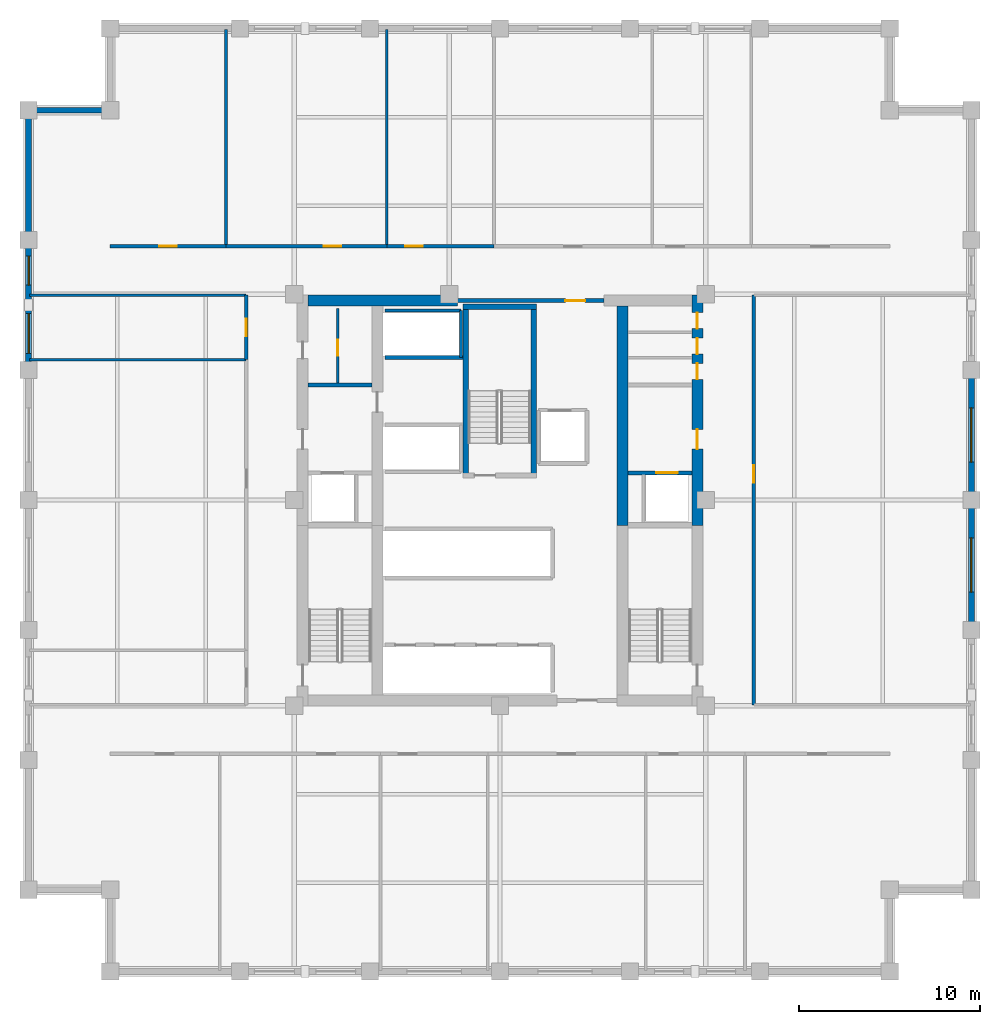
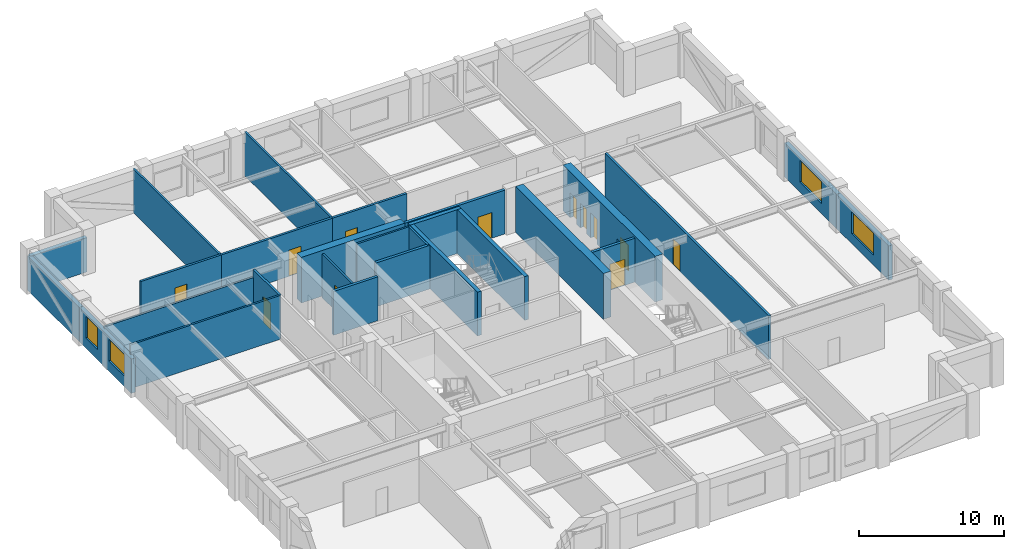
# One storey, part 4 of 6: 27 walls, 12 doors, 4 windows, 16 openings.
"""IFC4 building model written with IfcOpenShell, lengths in metres."""

from ifc_helpers import new_model, si_unit, direction, frame, frame_2d, origin, place, context, subcontext, project, spatial, rectangle, extrude, material, layer, layer_set, type_object, element, fill, save


model = new_model("IFC4")

# Units and contexts
model_context = context("Model", 3, precision=1e-05, world=origin(), true_north=direction((0.0, 1.0)))
body_context = subcontext(model_context, "Body", "Model", "MODEL_VIEW")
ifc_project = project(units=[si_unit("LENGTHUNIT", "METRE"), si_unit("AREAUNIT", "SQUARE_METRE"), si_unit("VOLUMEUNIT", "CUBIC_METRE"), si_unit("PLANEANGLEUNIT", "RADIAN"), si_unit("MASSUNIT", "GRAM", prefix="KILO")], contexts=[model_context])

# Site, building, storey
site_placement = place(None, origin())
site = spatial("IfcSite", under=ifc_project, at=site_placement, CompositionType="ELEMENT")
building_placement = place(site_placement, origin())
building = spatial("IfcBuilding", under=site, at=building_placement, Name="Nhamokura Convention Tower", CompositionType="ELEMENT")
storey_placement = place(building_placement, frame((0.0, 0.0, 129.85009765625)))
storey = spatial("IfcBuildingStorey", under=building, at=storey_placement, Name="L31", CompositionType="ELEMENT", Elevation=129.85009765625)

# Wall, opening, door
ifc_material_1 = material(Name="Moisture-resistant tile-backer partition", Category="masonry")
ifc_layer_1 = layer(ifc_material_1, 0.139892578125)
ifc_layer_set_1 = layer_set([ifc_layer_1], Name="BathroomWetWall_140")
wall_type_1 = type_object("IfcWallType", Name="BathroomWetWall_140", PredefinedType="STANDARD", material=ifc_layer_set_1)
wall_1_placement = place(storey_placement, frame((23.050048828125, 38.449951171875, 0.0), z_axis=(0.0, 0.0, 1.0), x_axis=(0.0, 1.0, 0.0)))
wall_1 = element("IfcWall", 1, at=wall_1_placement, inside=storey, type_object=wall_type_1, Name="L31 Wall INT-L31-CWNWV", PredefinedType="STANDARD", context=body_context, shape_type="SweptSolid", body=[
    extrude(rectangle(XDim=4.10009765625, YDim=0.139892578125, at=frame_2d((2.050048828125, 0.0))), origin(), (0.0, 0.0, 1.0), 3.684814453125),
])
opening_1_placement = place(wall_1_placement, frame((1.5, 0.0, 0.0)))
opening_1 = element("IfcOpeningElement", 2, at=opening_1_placement, cuts=wall_1, Name="Opening D-11", PredefinedType="OPENING", context=body_context, shape_type="SweptSolid", body=[
    extrude(rectangle(XDim=0.8798828125, YDim=2.10009765625, at=frame_2d((0.43994140625, 1.050048828125))), frame((0.0, 0.079833984375, 0.0), z_axis=(0.0, -1.0, 0.0), x_axis=(1.0, 0.0, 0.0)), (0.0, 0.0, 1.0), 0.159912109375),
])
ifc_material_2 = material(Name="Solid oak hardwood", Category="wood")
door_type_1 = type_object("IfcDoorType", Name="BathroomDoor_880", OperationType="NOTDEFINED", PredefinedType="DOOR", material=ifc_material_2)
door_1_placement = place(opening_1_placement, origin())
door_1 = element("IfcDoor", 3, at=door_1_placement, inside=storey, type_object=door_type_1, Name="L31 Inner Store Door", OperationType="SINGLE_SWING_LEFT", OverallHeight=2.10009765625, OverallWidth=0.8798828125, PredefinedType="DOOR", context=body_context, shape_type="SweptSolid", body=[
    extrude(rectangle(XDim=0.8798828125, YDim=2.10009765625, at=frame_2d((0.43994140625, 1.050048828125))), frame((0.0, 0.02490234375, 0.0), z_axis=(0.0, -1.0, 0.0), x_axis=(1.0, 0.0, 0.0)), (0.0, 0.0, 1.0), 0.050048828125),
])
fill(opening_1, door_1)

# Wall, openings, windows
ifc_material_3 = material(Name="Bronze-pigmented precast concrete C45/55", Category="concrete")
ifc_layer_2 = layer(ifc_material_3, 0.320068359375)
ifc_layer_set_2 = layer_set([ifc_layer_2], Name="BronzePrecastSpandrel_320")
wall_type_2 = type_object("IfcWallType", Name="BronzePrecastSpandrel_320", PredefinedType="USERDEFINED", material=ifc_layer_set_2)
wall_2_placement = place(storey_placement, frame((6.0, 39.166748046875, 0.0), z_axis=(0.0, 0.0, 1.0), x_axis=(0.0, 1.0, 0.0)))
wall_2 = element("IfcWall", 4, at=wall_2_placement, inside=storey, type_object=wall_type_2, Name="L31 Masonry-Frame Wall WEST 4", ObjectType="SPANDREL_WALL", PredefinedType="USERDEFINED", context=body_context, shape_type="SweptSolid", body=[
    extrude(rectangle(XDim=7.16650390625, YDim=0.320068359375, at=frame_2d((3.583251953125, 0.0))), origin(), (0.0, 0.0, 1.0), 2.885009765625),
])
opening_2_placement = place(wall_2_placement, frame((0.916748046875, 0.0, 0.85009765625)))
opening_2 = element("IfcOpeningElement", 5, at=opening_2_placement, cuts=wall_2, Name="Opening W-06", PredefinedType="OPENING", context=body_context, shape_type="SweptSolid", body=[
    extrude(rectangle(XDim=2.199951171875, YDim=1.8349609375, at=frame_2d((1.10009765625, 0.91748046875))), frame((0.0, 0.169921875, 0.0), z_axis=(0.0, -1.0, 0.0), x_axis=(1.0, 0.0, 0.0)), (0.0, 0.0, 1.0), 0.340087890625),
])
opening_3_placement = place(wall_2_placement, frame((4.6875, 0.0, 0.85009765625)))
opening_3 = element("IfcOpeningElement", 6, at=opening_3_placement, cuts=wall_2, Name="Opening W-11", PredefinedType="OPENING", context=body_context, shape_type="SweptSolid", body=[
    extrude(rectangle(XDim=1.60009765625, YDim=1.8349609375, at=frame_2d((0.800048828125, 0.91748046875))), frame((0.0, 0.169921875, 0.0), z_axis=(0.0, -1.0, 0.0), x_axis=(1.0, 0.0, 0.0)), (0.0, 0.0, 1.0), 0.340087890625),
])
ifc_material_4 = material(Name="Solar-control bronze low-E double glass", Category="glass")
window_type_1 = type_object("IfcWindowType", Name="NotchCornerWindow_1600", PartitioningType="SINGLE_PANEL", PredefinedType="WINDOW", material=ifc_material_4)
window_1_placement = place(opening_3_placement, origin())
window_1 = element("IfcWindow", 7, at=window_1_placement, inside=storey, type_object=window_type_1, Name="L31 Facade Window WEST 4-2", OverallHeight=1.8349609375, OverallWidth=1.60009765625, PartitioningType="SINGLE_PANEL", PredefinedType="WINDOW", context=body_context, shape_type="SweptSolid", body=[
    extrude(rectangle(XDim=1.60009765625, YDim=1.8349609375, at=frame_2d((0.800048828125, 0.91748046875))), frame((0.0, 0.030029296875, 0.0), z_axis=(0.0, -1.0, 0.0), x_axis=(1.0, 0.0, 0.0)), (0.0, 0.0, 1.0), 0.06005859375),
])
fill(opening_3, window_1)
ifc_material_5 = material(Name="Solar-control bronze low-E double glass", Category="glass")
window_type_2 = type_object("IfcWindowType", Name="OfficeModuleWindow_Z2_2200", PartitioningType="SINGLE_PANEL", PredefinedType="WINDOW", material=ifc_material_5)
window_2_placement = place(opening_2_placement, origin())
window_2 = element("IfcWindow", 8, at=window_2_placement, inside=storey, type_object=window_type_2, Name="L31 Facade Window WEST 4-1", OverallHeight=1.8349609375, OverallWidth=2.199951171875, PartitioningType="SINGLE_PANEL", PredefinedType="WINDOW", context=body_context, shape_type="SweptSolid", body=[
    extrude(rectangle(XDim=2.199951171875, YDim=1.8349609375, at=frame_2d((1.10009765625, 0.91748046875))), frame((0.0, 0.030029296875, 0.0), z_axis=(0.0, -1.0, 0.0), x_axis=(1.0, 0.0, 0.0)), (0.0, 0.0, 1.0), 0.06005859375),
])
fill(opening_2, window_2)

# Wall
wall_3_placement = place(storey_placement, frame((6.0, 46.333251953125, 0.0), z_axis=(0.0, 0.0, 1.0), x_axis=(0.0, 1.0, 0.0)))
element("IfcWall", 9, at=wall_3_placement, inside=storey, type_object=wall_type_2, Name="L31 Braced-Bay Precast Wall WEST 5", ObjectType="SPANDREL_WALL", PredefinedType="USERDEFINED", context=body_context, shape_type="SweptSolid", body=[
    extrude(rectangle(XDim=7.166748046875, YDim=0.320068359375, at=frame_2d((3.58349609375, 0.0))), origin(), (0.0, 0.0, 1.0), 2.885009765625),
])

# Wall, opening, window
wall_4_placement = place(storey_placement, frame((58.0, 32.0, 0.0), z_axis=(0.0, 0.0, 1.0), x_axis=(0.0, -1.0, 0.0)))
wall_4 = element("IfcWall", 10, at=wall_4_placement, inside=storey, type_object=wall_type_2, Name="L31 Masonry-Frame Wall EAST 2", ObjectType="SPANDREL_WALL", PredefinedType="USERDEFINED", context=body_context, shape_type="SweptSolid", body=[
    extrude(rectangle(XDim=7.166748046875, YDim=0.320068359375, at=frame_2d((3.58349609375, 0.0))), origin(), (0.0, 0.0, 1.0), 2.885009765625),
])
opening_4_placement = place(wall_4_placement, frame((2.083251953125, 0.0, 0.85009765625)))
opening_4 = element("IfcOpeningElement", 11, at=opening_4_placement, cuts=wall_4, Name="Opening W-05", PredefinedType="OPENING", context=body_context, shape_type="SweptSolid", body=[
    extrude(rectangle(XDim=3.0, YDim=1.8349609375, at=frame_2d((1.5, 0.91748046875))), frame((0.0, 0.169921875, 0.0), z_axis=(0.0, -1.0, 0.0), x_axis=(1.0, 0.0, 0.0)), (0.0, 0.0, 1.0), 0.340087890625),
])
ifc_material_6 = material(Name="Solar-control bronze low-E double glass", Category="glass")
window_type_3 = type_object("IfcWindowType", Name="OfficeModuleWindow_Z2_3000", PartitioningType="DOUBLE_PANEL_VERTICAL", PredefinedType="WINDOW", material=ifc_material_6)
window_3_placement = place(opening_4_placement, origin())
window_3 = element("IfcWindow", 12, at=window_3_placement, inside=storey, type_object=window_type_3, Name="L31 Facade Window EAST 2", OverallHeight=1.8349609375, OverallWidth=3.0, PartitioningType="SINGLE_PANEL", PredefinedType="WINDOW", context=body_context, shape_type="SweptSolid", body=[
    extrude(rectangle(XDim=3.0, YDim=1.8349609375, at=frame_2d((1.5, 0.91748046875))), frame((0.0, 0.030029296875, 0.0), z_axis=(0.0, -1.0, 0.0), x_axis=(1.0, 0.0, 0.0)), (0.0, 0.0, 1.0), 0.06005859375),
])
fill(opening_4, window_3)

wall_5_placement = place(storey_placement, frame((58.0, 39.166748046875, 0.0), z_axis=(0.0, 0.0, 1.0), x_axis=(0.0, -1.0, 0.0)))
wall_5 = element("IfcWall", 13, at=wall_5_placement, inside=storey, type_object=wall_type_2, Name="L31 Masonry-Frame Wall EAST 3", ObjectType="SPANDREL_WALL", PredefinedType="USERDEFINED", context=body_context, shape_type="SweptSolid", body=[
    extrude(rectangle(XDim=7.166748046875, YDim=0.320068359375, at=frame_2d((3.58349609375, 0.0))), origin(), (0.0, 0.0, 1.0), 2.885009765625),
])
opening_5_placement = place(wall_5_placement, frame((2.083251953125, 0.0, 0.85009765625)))
opening_5 = element("IfcOpeningElement", 14, at=opening_5_placement, cuts=wall_5, Name="Opening W-05", PredefinedType="OPENING", context=body_context, shape_type="SweptSolid", body=[
    extrude(rectangle(XDim=3.0, YDim=1.8349609375, at=frame_2d((1.5, 0.91748046875))), frame((0.0, 0.169921875, 0.0), z_axis=(0.0, -1.0, 0.0), x_axis=(1.0, 0.0, 0.0)), (0.0, 0.0, 1.0), 0.340087890625),
])
window_4_placement = place(opening_5_placement, origin())
window_4 = element("IfcWindow", 15, at=window_4_placement, inside=storey, type_object=window_type_3, Name="L31 Facade Window EAST 3", OverallHeight=1.8349609375, OverallWidth=3.0, PartitioningType="SINGLE_PANEL", PredefinedType="WINDOW", context=body_context, shape_type="SweptSolid", body=[
    extrude(rectangle(XDim=3.0, YDim=1.8349609375, at=frame_2d((1.5, 0.91748046875))), frame((0.0, 0.030029296875, 0.0), z_axis=(0.0, -1.0, 0.0), x_axis=(1.0, 0.0, 0.0)), (0.0, 0.0, 1.0), 0.06005859375),
])
fill(opening_5, window_4)

# Wall
wall_6_placement = place(storey_placement, frame((6.0, 53.5, 0.0), z_axis=(0.0, 0.0, 1.0), x_axis=(1.0, 0.0, 0.0)))
element("IfcWall", 16, at=wall_6_placement, inside=storey, type_object=wall_type_2, Name="L31 Notched Corner Wall NW2", ObjectType="SPANDREL_WALL", PredefinedType="USERDEFINED", context=body_context, shape_type="SweptSolid", body=[
    extrude(rectangle(XDim=4.5, YDim=0.320068359375, at=frame_2d((2.25, 0.0))), origin(), (0.0, 0.0, 1.0), 2.885009765625),
])

# Wall, openings, doors
ifc_material_7 = material(Name="Concrete C60/75", Category="concrete")
ifc_layer_3 = layer(ifc_material_7, 0.60009765625)
ifc_layer_set_3 = layer_set([ifc_layer_3], Name="CoreShearWall_600")
wall_type_3 = type_object("IfcWallType", Name="CoreShearWall_600", PredefinedType="SHEAR", material=ifc_layer_set_3)
wall_7_placement = place(storey_placement, frame((42.889892578125, 30.60009765625, 0.0), z_axis=(0.0, 0.0, 1.0), x_axis=(0.0, 1.0, 0.0)))
wall_7 = element("IfcWall", 17, at=wall_7_placement, inside=storey, type_object=wall_type_3, Name="L31 Core Shear Wall CW-EN", PredefinedType="SHEAR", context=body_context, shape_type="SweptSolid", body=[
    extrude(rectangle(XDim=12.699951171875, YDim=0.60009765625, at=frame_2d((6.35009765625, 0.0))), origin(), (0.0, 0.0, 1.0), 3.849853515625),
])
opening_6_placement = place(wall_7_placement, frame((4.199951171875, 0.0, 0.0)))
opening_6 = element("IfcOpeningElement", 18, at=opening_6_placement, cuts=wall_7, Name="Opening D-05", PredefinedType="OPENING", context=body_context, shape_type="SweptSolid", body=[
    extrude(rectangle(XDim=1.10009765625, YDim=2.14990234375, at=frame_2d((0.550048828125, 1.074951171875))), frame((0.0, 0.31005859375, 0.0), z_axis=(0.0, -1.0, 0.0), x_axis=(1.0, 0.0, 0.0)), (0.0, 0.0, 1.0), 0.6201171875),
])
opening_7_placement = place(wall_7_placement, frame((8.050048828125, 0.0, 0.0)))
opening_7 = element("IfcOpeningElement", 19, at=opening_7_placement, cuts=wall_7, Name="Opening D-11", PredefinedType="OPENING", context=body_context, shape_type="SweptSolid", body=[
    extrude(rectangle(XDim=0.8798828125, YDim=2.10009765625, at=frame_2d((0.43994140625, 1.050048828125))), frame((0.0, 0.31005859375, 0.0), z_axis=(0.0, -1.0, 0.0), x_axis=(1.0, 0.0, 0.0)), (0.0, 0.0, 1.0), 0.6201171875),
])
opening_8_placement = place(wall_7_placement, frame((9.449951171875, 0.0, 0.0)))
opening_8 = element("IfcOpeningElement", 20, at=opening_8_placement, cuts=wall_7, Name="Opening D-11", PredefinedType="OPENING", context=body_context, shape_type="SweptSolid", body=[
    extrude(rectangle(XDim=0.8798828125, YDim=2.10009765625, at=frame_2d((0.43994140625, 1.050048828125))), frame((0.0, 0.31005859375, 0.0), z_axis=(0.0, -1.0, 0.0), x_axis=(1.0, 0.0, 0.0)), (0.0, 0.0, 1.0), 0.6201171875),
])
opening_9_placement = place(wall_7_placement, frame((10.85009765625, 0.0, 0.0)))
opening_9 = element("IfcOpeningElement", 21, at=opening_9_placement, cuts=wall_7, Name="Opening D-11", PredefinedType="OPENING", context=body_context, shape_type="SweptSolid", body=[
    extrude(rectangle(XDim=0.8798828125, YDim=2.10009765625, at=frame_2d((0.43994140625, 1.050048828125))), frame((0.0, 0.31005859375, 0.0), z_axis=(0.0, -1.0, 0.0), x_axis=(1.0, 0.0, 0.0)), (0.0, 0.0, 1.0), 0.6201171875),
])
door_2_placement = place(opening_7_placement, origin())
door_2 = element("IfcDoor", 22, at=door_2_placement, inside=storey, type_object=door_type_1, Name="L31 Core Door INT-L31-D-MWC", OperationType="SINGLE_SWING_LEFT", OverallHeight=2.10009765625, OverallWidth=0.8798828125, PredefinedType="DOOR", context=body_context, shape_type="SweptSolid", body=[
    extrude(rectangle(XDim=0.8798828125, YDim=2.10009765625, at=frame_2d((0.43994140625, 1.050048828125))), frame((0.0, 0.02490234375, 0.0), z_axis=(0.0, -1.0, 0.0), x_axis=(1.0, 0.0, 0.0)), (0.0, 0.0, 1.0), 0.050048828125),
])
fill(opening_7, door_2)
door_3_placement = place(opening_8_placement, origin())
door_3 = element("IfcDoor", 23, at=door_3_placement, inside=storey, type_object=door_type_1, Name="L31 Core Door INT-L31-D-FWC", OperationType="SINGLE_SWING_RIGHT", OverallHeight=2.10009765625, OverallWidth=0.8798828125, PredefinedType="DOOR", context=body_context, shape_type="SweptSolid", body=[
    extrude(rectangle(XDim=0.8798828125, YDim=2.10009765625, at=frame_2d((0.43994140625, 1.050048828125))), frame((0.0, 0.02490234375, 0.0), z_axis=(0.0, -1.0, 0.0), x_axis=(1.0, 0.0, 0.0)), (0.0, 0.0, 1.0), 0.050048828125),
])
fill(opening_8, door_3)
door_4_placement = place(opening_9_placement, origin())
door_4 = element("IfcDoor", 24, at=door_4_placement, inside=storey, type_object=door_type_1, Name="L31 Core Door INT-L31-D-ARC", OperationType="SINGLE_SWING_LEFT", OverallHeight=2.10009765625, OverallWidth=0.8798828125, PredefinedType="DOOR", context=body_context, shape_type="SweptSolid", body=[
    extrude(rectangle(XDim=0.8798828125, YDim=2.10009765625, at=frame_2d((0.43994140625, 1.050048828125))), frame((0.0, 0.02490234375, 0.0), z_axis=(0.0, -1.0, 0.0), x_axis=(1.0, 0.0, 0.0)), (0.0, 0.0, 1.0), 0.050048828125),
])
fill(opening_9, door_4)
ifc_material_8 = material(Name="Fire-rated steel door", Category="steel")
door_type_2 = type_object("IfcDoorType", Name="FireLobbyDoor_1100", OperationType="NOTDEFINED", PredefinedType="DOOR", material=ifc_material_8)
door_5_placement = place(opening_6_placement, origin())
door_5 = element("IfcDoor", 25, at=door_5_placement, inside=storey, type_object=door_type_2, Name="L31 Core Door INT-L31-D-FFLE", OperationType="SINGLE_SWING_LEFT", OverallHeight=2.14990234375, OverallWidth=1.10009765625, PredefinedType="DOOR", context=body_context, shape_type="SweptSolid", body=[
    extrude(rectangle(XDim=1.10009765625, YDim=2.14990234375, at=frame_2d((0.550048828125, 1.074951171875))), frame((0.0, 0.02490234375, 0.0), z_axis=(0.0, -1.0, 0.0), x_axis=(1.0, 0.0, 0.0)), (0.0, 0.0, 1.0), 0.050048828125),
])
fill(opening_6, door_5)

# Walls
wall_8_placement = place(storey_placement, frame((21.409912109375, 43.0, 0.0), z_axis=(0.0, 0.0, 1.0), x_axis=(1.0, 0.0, 0.0)))
element("IfcWall", 26, at=wall_8_placement, inside=storey, type_object=wall_type_3, Name="L31 Core Shear Wall CW-N1", PredefinedType="SHEAR", context=body_context, shape_type="SweptSolid", body=[
    extrude(rectangle(XDim=8.239990234375, YDim=0.60009765625, at=frame_2d((4.1201171875, 0.0))), origin(), (0.0, 0.0, 1.0), 3.849853515625),
])
wall_9_placement = place(storey_placement, frame((38.760009765625, 30.60009765625, 0.0), z_axis=(0.0, 0.0, 1.0), x_axis=(0.0, 1.0, 0.0)))
element("IfcWall", 27, at=wall_9_placement, inside=storey, type_object=wall_type_3, Name="L31 Core Shear Wall CW-IEN", PredefinedType="SHEAR", context=body_context, shape_type="SweptSolid", body=[
    extrude(rectangle(XDim=12.099853515625, YDim=0.60009765625, at=frame_2d((6.0498046875, 0.0))), origin(), (0.0, 0.0, 1.0), 3.849853515625),
])

# Wall, opening, door
ifc_material_9 = material(Name="Fire-rated gypsum and masonry partition", Category="masonry")
ifc_layer_4 = layer(ifc_material_9, 0.179931640625)
ifc_layer_set_4 = layer_set([ifc_layer_4], Name="CorridorRatedWall_180")
wall_type_4 = type_object("IfcWallType", Name="CorridorRatedWall_180", PredefinedType="STANDARD", material=ifc_layer_set_4)
wall_10_placement = place(storey_placement, frame((10.5, 46.0, 0.0), z_axis=(0.0, 0.0, 1.0), x_axis=(1.0, 0.0, 0.0)))
wall_10 = element("IfcWall", 28, at=wall_10_placement, inside=storey, type_object=wall_type_4, Name="L31 Wall INT-L31-CW-N00", PredefinedType="STANDARD", context=body_context, shape_type="SweptSolid", body=[
    extrude(rectangle(XDim=6.3916015625, YDim=0.179931640625, at=frame_2d((3.19580078125, 0.0))), origin(), (0.0, 0.0, 1.0), 3.684814453125),
])
opening_10_placement = place(wall_10_placement, frame((2.69580078125, 0.0, 0.0)))
opening_10 = element("IfcOpeningElement", 29, at=opening_10_placement, cuts=wall_10, Name="Opening D-08", PredefinedType="OPENING", context=body_context, shape_type="SweptSolid", body=[
    extrude(rectangle(XDim=0.97998046875, YDim=2.199951171875, at=frame_2d((0.489990234375, 1.10009765625))), frame((0.0, 0.099853515625, 0.0), z_axis=(0.0, -1.0, 0.0), x_axis=(1.0, 0.0, 0.0)), (0.0, 0.0, 1.0), 0.199951171875),
])
ifc_material_10 = material(Name="Solid oak hardwood", Category="wood")
door_type_3 = type_object("IfcDoorType", Name="OfficeEntryDoor_980", OperationType="NOTDEFINED", PredefinedType="DOOR", material=ifc_material_10)
door_6_placement = place(opening_10_placement, origin())
door_6 = element("IfcDoor", 30, at=door_6_placement, inside=storey, type_object=door_type_3, Name="L31 Training Classroom N01 Door", OperationType="SINGLE_SWING_LEFT", OverallHeight=2.199951171875, OverallWidth=0.97998046875, PredefinedType="DOOR", context=body_context, shape_type="SweptSolid", body=[
    extrude(rectangle(XDim=0.97998046875, YDim=2.199951171875, at=frame_2d((0.489990234375, 1.10009765625))), frame((0.0, 0.02490234375, 0.0), z_axis=(0.0, -1.0, 0.0), x_axis=(1.0, 0.0, 0.0)), (0.0, 0.0, 1.0), 0.050048828125),
])
fill(opening_10, door_6)

wall_11_placement = place(storey_placement, frame((16.8916015625, 46.0, 0.0), z_axis=(0.0, 0.0, 1.0), x_axis=(1.0, 0.0, 0.0)))
wall_11 = element("IfcWall", 31, at=wall_11_placement, inside=storey, type_object=wall_type_4, Name="L31 Wall INT-L31-CW-N01", PredefinedType="STANDARD", context=body_context, shape_type="SweptSolid", body=[
    extrude(rectangle(XDim=8.86669921875, YDim=0.179931640625, at=frame_2d((4.433349609375, 0.0))), origin(), (0.0, 0.0, 1.0), 3.684814453125),
])
opening_11_placement = place(wall_11_placement, frame((5.38330078125, 0.0, 0.0)))
opening_11 = element("IfcOpeningElement", 32, at=opening_11_placement, cuts=wall_11, Name="Opening D-08", PredefinedType="OPENING", context=body_context, shape_type="SweptSolid", body=[
    extrude(rectangle(XDim=0.97998046875, YDim=2.199951171875, at=frame_2d((0.489990234375, 1.10009765625))), frame((0.0, 0.099853515625, 0.0), z_axis=(0.0, -1.0, 0.0), x_axis=(1.0, 0.0, 0.0)), (0.0, 0.0, 1.0), 0.199951171875),
])
door_7_placement = place(opening_11_placement, origin())
door_7 = element("IfcDoor", 33, at=door_7_placement, inside=storey, type_object=door_type_3, Name="L31 Law Library N02 Door", OperationType="SINGLE_SWING_RIGHT", OverallHeight=2.199951171875, OverallWidth=0.97998046875, PredefinedType="DOOR", context=body_context, shape_type="SweptSolid", body=[
    extrude(rectangle(XDim=0.97998046875, YDim=2.199951171875, at=frame_2d((0.489990234375, 1.10009765625))), frame((0.0, 0.02490234375, 0.0), z_axis=(0.0, -1.0, 0.0), x_axis=(1.0, 0.0, 0.0)), (0.0, 0.0, 1.0), 0.050048828125),
])
fill(opening_11, door_7)

wall_12_placement = place(storey_placement, frame((25.75830078125, 46.0, 0.0), z_axis=(0.0, 0.0, 1.0), x_axis=(1.0, 0.0, 0.0)))
wall_12 = element("IfcWall", 34, at=wall_12_placement, inside=storey, type_object=wall_type_4, Name="L31 Wall INT-L31-CW-N02", PredefinedType="STANDARD", context=body_context, shape_type="SweptSolid", body=[
    extrude(rectangle(XDim=5.916748046875, YDim=0.179931640625, at=frame_2d((2.95849609375, 0.0))), origin(), (0.0, 0.0, 1.0), 3.684814453125),
])
opening_12_placement = place(wall_12_placement, frame((1.00830078125, 0.0, 0.0)))
opening_12 = element("IfcOpeningElement", 35, at=opening_12_placement, cuts=wall_12, Name="Opening D-08", PredefinedType="OPENING", context=body_context, shape_type="SweptSolid", body=[
    extrude(rectangle(XDim=0.97998046875, YDim=2.199951171875, at=frame_2d((0.489990234375, 1.10009765625))), frame((0.0, 0.099853515625, 0.0), z_axis=(0.0, -1.0, 0.0), x_axis=(1.0, 0.0, 0.0)), (0.0, 0.0, 1.0), 0.199951171875),
])
door_8_placement = place(opening_12_placement, origin())
door_8 = element("IfcDoor", 36, at=door_8_placement, inside=storey, type_object=door_type_3, Name="L31 Training Classroom N03 Door", OperationType="SINGLE_SWING_LEFT", OverallHeight=2.199951171875, OverallWidth=0.97998046875, PredefinedType="DOOR", context=body_context, shape_type="SweptSolid", body=[
    extrude(rectangle(XDim=0.97998046875, YDim=2.199951171875, at=frame_2d((0.489990234375, 1.10009765625))), frame((0.0, 0.02490234375, 0.0), z_axis=(0.0, -1.0, 0.0), x_axis=(1.0, 0.0, 0.0)), (0.0, 0.0, 1.0), 0.050048828125),
])
fill(opening_12, door_8)

wall_13_placement = place(storey_placement, frame((18.0, 39.74169921875, 0.0), z_axis=(0.0, 0.0, 1.0), x_axis=(0.0, 1.0, 0.0)))
wall_13 = element("IfcWall", 37, at=wall_13_placement, inside=storey, type_object=wall_type_4, Name="L31 Wall INT-L31-CW-W02", PredefinedType="STANDARD", context=body_context, shape_type="SweptSolid", body=[
    extrude(rectangle(XDim=3.558349609375, YDim=0.179931640625, at=frame_2d((1.779296875, 0.0))), origin(), (0.0, 0.0, 1.0), 3.684814453125),
])
opening_13_placement = place(wall_13_placement, frame((1.279052734375, 0.0, 0.0)))
opening_13 = element("IfcOpeningElement", 38, at=opening_13_placement, cuts=wall_13, Name="Opening D-08", PredefinedType="OPENING", context=body_context, shape_type="SweptSolid", body=[
    extrude(rectangle(XDim=0.97998046875, YDim=2.199951171875, at=frame_2d((0.489990234375, 1.10009765625))), frame((0.0, 0.099853515625, 0.0), z_axis=(0.0, -1.0, 0.0), x_axis=(1.0, 0.0, 0.0)), (0.0, 0.0, 1.0), 0.199951171875),
])
door_9_placement = place(opening_13_placement, origin())
door_9 = element("IfcDoor", 39, at=door_9_placement, inside=storey, type_object=door_type_3, Name="L31 Records Store W03 Door", OperationType="SINGLE_SWING_LEFT", OverallHeight=2.199951171875, OverallWidth=0.97998046875, PredefinedType="DOOR", context=body_context, shape_type="SweptSolid", body=[
    extrude(rectangle(XDim=0.97998046875, YDim=2.199951171875, at=frame_2d((0.489990234375, 1.10009765625))), frame((0.0, 0.02490234375, 0.0), z_axis=(0.0, -1.0, 0.0), x_axis=(1.0, 0.0, 0.0)), (0.0, 0.0, 1.0), 0.050048828125),
])
fill(opening_13, door_9)

wall_14_placement = place(storey_placement, frame((46.0, 20.699951171875, 0.0), z_axis=(0.0, 0.0, 1.0), x_axis=(0.0, 1.0, 0.0)))
wall_14 = element("IfcWall", 40, at=wall_14_placement, inside=storey, type_object=wall_type_4, Name="L31 Wall INT-L31-CW-E00", PredefinedType="STANDARD", context=body_context, shape_type="SweptSolid", body=[
    extrude(rectangle(XDim=22.60009765625, YDim=0.179931640625, at=frame_2d((11.300048828125, 0.0))), origin(), (0.0, 0.0, 1.0), 3.684814453125),
])
opening_14_placement = place(wall_14_placement, frame((12.25, 0.0, 0.0)))
opening_14 = element("IfcOpeningElement", 41, at=opening_14_placement, cuts=wall_14, Name="Opening D-08", PredefinedType="OPENING", context=body_context, shape_type="SweptSolid", body=[
    extrude(rectangle(XDim=0.97998046875, YDim=2.199951171875, at=frame_2d((0.489990234375, 1.10009765625))), frame((0.0, 0.099853515625, 0.0), z_axis=(0.0, -1.0, 0.0), x_axis=(1.0, 0.0, 0.0)), (0.0, 0.0, 1.0), 0.199951171875),
])
door_10_placement = place(opening_14_placement, origin())
door_10 = element("IfcDoor", 42, at=door_10_placement, inside=storey, type_object=door_type_3, Name="L31 Open Plan Office E01 Door", OperationType="SINGLE_SWING_LEFT", OverallHeight=2.199951171875, OverallWidth=0.97998046875, PredefinedType="DOOR", context=body_context, shape_type="SweptSolid", body=[
    extrude(rectangle(XDim=0.97998046875, YDim=2.199951171875, at=frame_2d((0.489990234375, 1.10009765625))), frame((0.0, 0.02490234375, 0.0), z_axis=(0.0, -1.0, 0.0), x_axis=(1.0, 0.0, 0.0)), (0.0, 0.0, 1.0), 0.050048828125),
])
fill(opening_14, door_10)

ifc_material_11 = material(Name="Autoclaved concrete blockwork", Category="masonry")
ifc_layer_5 = layer(ifc_material_11, 0.219970703125)
ifc_layer_set_5 = layer_set([ifc_layer_5], Name="FireLobbyWall_220")
wall_type_5 = type_object("IfcWallType", Name="FireLobbyWall_220", PredefinedType="STANDARD", material=ifc_layer_set_5)
wall_15_placement = place(storey_placement, frame((39.06005859375, 33.5, 0.0), z_axis=(0.0, 0.0, 1.0), x_axis=(1.0, 0.0, 0.0)))
wall_15 = element("IfcWall", 43, at=wall_15_placement, inside=storey, type_object=wall_type_5, Name="L31 Wall INT-L31-FFE-S", PredefinedType="STANDARD", context=body_context, shape_type="SweptSolid", body=[
    extrude(rectangle(XDim=3.530029296875, YDim=0.219970703125, at=frame_2d((1.76513671875, 0.0))), origin(), (0.0, 0.0, 1.0), 3.684814453125),
])
opening_15_placement = place(wall_15_placement, frame((1.550048828125, 0.0, 0.0)))
opening_15 = element("IfcOpeningElement", 44, at=opening_15_placement, cuts=wall_15, Name="Opening LD-02", PredefinedType="OPENING", context=body_context, shape_type="SweptSolid", body=[
    extrude(rectangle(XDim=1.199951171875, YDim=2.199951171875, at=frame_2d((0.60009765625, 1.10009765625))), frame((0.0, 0.119873046875, 0.0), z_axis=(0.0, -1.0, 0.0), x_axis=(1.0, 0.0, 0.0)), (0.0, 0.0, 1.0), 0.239990234375),
])
ifc_material_12 = material(Name="Anodised bronze stainless steel", Category="steel")
door_type_4 = type_object("IfcDoorType", Name="LiftLandingDoor_FireService", OperationType="DOUBLE_DOOR_SLIDING", PredefinedType="DOOR", material=ifc_material_12)
door_11_placement = place(opening_15_placement, origin())
door_11 = element("IfcDoor", 45, at=door_11_placement, inside=storey, type_object=door_type_4, Name="L31 Firefighting Lift LF-02 Door", OperationType="DOUBLE_DOOR_SLIDING", OverallHeight=2.199951171875, OverallWidth=1.199951171875, PredefinedType="DOOR", context=body_context, shape_type="SweptSolid", body=[
    extrude(rectangle(XDim=1.199951171875, YDim=2.199951171875, at=frame_2d((0.60009765625, 1.10009765625))), frame((0.0, 0.02490234375, 0.0), z_axis=(0.0, -1.0, 0.0), x_axis=(1.0, 0.0, 0.0)), (0.0, 0.0, 1.0), 0.050048828125),
])
fill(opening_15, door_11)

# Walls
wall_16_placement = place(storey_placement, frame((21.409912109375, 38.35009765625, 0.0), z_axis=(0.0, 0.0, 1.0), x_axis=(1.0, 0.0, 0.0)))
element("IfcWall", 46, at=wall_16_placement, inside=storey, type_object=wall_type_5, Name="L31 Wall INT-L31-FFW-N", PredefinedType="STANDARD", context=body_context, shape_type="SweptSolid", body=[
    extrude(rectangle(XDim=3.530029296875, YDim=0.219970703125, at=frame_2d((1.76513671875, 0.0))), origin(), (0.0, 0.0, 1.0), 3.684814453125),
])
wall_17_placement = place(storey_placement, frame((25.64990234375, 39.85009765625, 0.0), z_axis=(0.0, 0.0, 1.0), x_axis=(1.0, 0.0, 0.0)))
element("IfcWall", 47, at=wall_17_placement, inside=storey, type_object=wall_type_5, Name="L31 Wall INT-L31-B3N", PredefinedType="STANDARD", context=body_context, shape_type="SweptSolid", body=[
    extrude(rectangle(XDim=4.300048828125, YDim=0.219970703125, at=frame_2d((2.14990234375, 0.0))), origin(), (0.0, 0.0, 1.0), 3.684814453125),
])

# Wall, opening, door
wall_18_placement = place(storey_placement, frame((29.64990234375, 43.0, 0.0), z_axis=(0.0, 0.0, 1.0), x_axis=(1.0, 0.0, 0.0)))
wall_18 = element("IfcWall", 48, at=wall_18_placement, inside=storey, type_object=wall_type_5, Name="L31 Wall INT-L31-CPORT-N", PredefinedType="STANDARD", context=body_context, shape_type="SweptSolid", body=[
    extrude(rectangle(XDim=8.10009765625, YDim=0.219970703125, at=frame_2d((4.050048828125, 0.0))), origin(), (0.0, 0.0, 1.0), 3.684814453125),
])
opening_16_placement = place(wall_18_placement, frame((5.949951171875, 0.0, 0.0)))
opening_16 = element("IfcOpeningElement", 49, at=opening_16_placement, cuts=wall_18, Name="Opening D-05", PredefinedType="OPENING", context=body_context, shape_type="SweptSolid", body=[
    extrude(rectangle(XDim=1.10009765625, YDim=2.14990234375, at=frame_2d((0.550048828125, 1.074951171875))), frame((0.0, 0.119873046875, 0.0), z_axis=(0.0, -1.0, 0.0), x_axis=(1.0, 0.0, 0.0)), (0.0, 0.0, 1.0), 0.239990234375),
])
door_12_placement = place(opening_16_placement, origin())
door_12 = element("IfcDoor", 50, at=door_12_placement, inside=storey, type_object=door_type_2, Name="L31 North Core Lobby Portal Door", OperationType="SINGLE_SWING_RIGHT", OverallHeight=2.14990234375, OverallWidth=1.10009765625, PredefinedType="DOOR", context=body_context, shape_type="SweptSolid", body=[
    extrude(rectangle(XDim=1.10009765625, YDim=2.14990234375, at=frame_2d((0.550048828125, 1.074951171875))), frame((0.0, 0.02490234375, 0.0), z_axis=(0.0, -1.0, 0.0), x_axis=(1.0, 0.0, 0.0)), (0.0, 0.0, 1.0), 0.050048828125),
])
fill(opening_16, door_12)

# Walls
ifc_material_13 = material(Name="Acoustic gypsum stud partition", Category="masonry")
ifc_layer_6 = layer(ifc_material_13, 0.14990234375)
ifc_layer_set_6 = layer_set([ifc_layer_6], Name="InteriorPartition_150")
wall_type_6 = type_object("IfcWallType", Name="InteriorPartition_150", PredefinedType="STANDARD", material=ifc_layer_set_6)
wall_19_placement = place(storey_placement, frame((25.64990234375, 42.449951171875, 0.0), z_axis=(0.0, 0.0, 1.0), x_axis=(1.0, 0.0, 0.0)))
element("IfcWall", 51, at=wall_19_placement, inside=storey, type_object=wall_type_6, Name="L31 Wall INT-L31-B3B-N", PredefinedType="STANDARD", context=body_context, shape_type="SweptSolid", body=[
    extrude(rectangle(XDim=4.2001953125, YDim=0.14990234375, at=frame_2d((2.10009765625, 0.0))), origin(), (0.0, 0.0, 1.0), 3.684814453125),
])
wall_20_placement = place(storey_placement, frame((29.85009765625, 39.85009765625, 0.0), z_axis=(0.0, 0.0, 1.0), x_axis=(0.0, 1.0, 0.0)))
element("IfcWall", 52, at=wall_20_placement, inside=storey, type_object=wall_type_6, Name="L31 Wall INT-L31-B3B-E", PredefinedType="STANDARD", context=body_context, shape_type="SweptSolid", body=[
    extrude(rectangle(XDim=2.599853515625, YDim=0.14990234375, at=frame_2d((1.2998046875, 0.0))), origin(), (0.0, 0.0, 1.0), 3.684814453125),
])
for number, where, z_axis, x_axis, name in (
    (53, (16.8916015625, 46.0, 0.0), (0.0, 0.0, 1.0), (0.0, 1.0, 0.0), "L31 Wall INT-L31-RW-N01"),
    (54, (25.75830078125, 46.0, 0.0), (0.0, 0.0, 1.0), (0.0, 1.0, 0.0), "L31 Wall INT-L31-RW-N02"),
):
    element("IfcWall", number, at=place(storey_placement, frame(where, z_axis=z_axis, x_axis=x_axis)), inside=storey, type_object=wall_type_6, Name=name, PredefinedType="STANDARD", context=body_context, shape_type="SweptSolid", body=[
        extrude(rectangle(XDim=11.93994140625, YDim=0.14990234375, at=frame_2d((5.969970703125, 0.0))), origin(), (0.0, 0.0, 1.0), 3.684814453125),
    ])
wall_21_placement = place(storey_placement, frame((6.06005859375, 43.300048828125, 0.0), z_axis=(0.0, 0.0, 1.0), x_axis=(1.0, 0.0, 0.0)))
element("IfcWall", 55, at=wall_21_placement, inside=storey, type_object=wall_type_6, Name="L31 Wall INT-L31-RWT-W", PredefinedType="STANDARD", context=body_context, shape_type="SweptSolid", body=[
    extrude(rectangle(XDim=11.93994140625, YDim=0.14990234375, at=frame_2d((5.969970703125, 0.0))), origin(), (0.0, 0.0, 1.0), 3.06494140625),
])
wall_22_placement = place(storey_placement, frame((6.06005859375, 39.74169921875, 0.0), z_axis=(0.0, 0.0, 1.0), x_axis=(1.0, 0.0, 0.0)))
element("IfcWall", 56, at=wall_22_placement, inside=storey, type_object=wall_type_6, Name="L31 Wall INT-L31-RW-W02", PredefinedType="STANDARD", context=body_context, shape_type="SweptSolid", body=[
    extrude(rectangle(XDim=11.93994140625, YDim=0.14990234375, at=frame_2d((5.969970703125, 0.0))), origin(), (0.0, 0.0, 1.0), 3.684814453125),
])
ifc_material_14 = material(Name="Concrete C50/60", Category="concrete")
ifc_layer_7 = layer(ifc_material_14, 0.300048828125)
ifc_layer_set_7 = layer_set([ifc_layer_7], Name="ShaftEnclosureWall_300")
wall_type_7 = type_object("IfcWallType", Name="ShaftEnclosureWall_300", PredefinedType="SHEAR", material=ifc_layer_set_7)
for number, where, z_axis, x_axis, name in (
    (57, (30.10009765625, 33.199951171875, 0.0), (0.0, 0.0, 1.0), (0.0, 1.0, 0.0), "L31 Wall INT-L31-ST03W"),
    (58, (33.85009765625, 33.199951171875, 0.0), (0.0, 0.0, 1.0), (0.0, 1.0, 0.0), "L31 Wall INT-L31-ST03E"),
):
    element("IfcWall", number, at=place(storey_placement, frame(where, z_axis=z_axis, x_axis=x_axis)), inside=storey, type_object=wall_type_7, Name=name, PredefinedType="SHEAR", context=body_context, shape_type="SweptSolid", body=[
        extrude(rectangle(XDim=9.60009765625, YDim=0.300048828125, at=frame_2d((4.800048828125, 0.0))), origin(), (0.0, 0.0, 1.0), 3.684814453125),
    ])
wall_23_placement = place(storey_placement, frame((29.949951171875, 42.64990234375, 0.0), z_axis=(0.0, 0.0, 1.0), x_axis=(1.0, 0.0, 0.0)))
element("IfcWall", 59, at=wall_23_placement, inside=storey, type_object=wall_type_7, Name="L31 Wall INT-L31-ST03N", PredefinedType="SHEAR", context=body_context, shape_type="SweptSolid", body=[
    extrude(rectangle(XDim=4.050048828125, YDim=0.300048828125, at=frame_2d((2.02490234375, 0.0))), origin(), (0.0, 0.0, 1.0), 3.684814453125),
])

save(model, "model.ifc")
